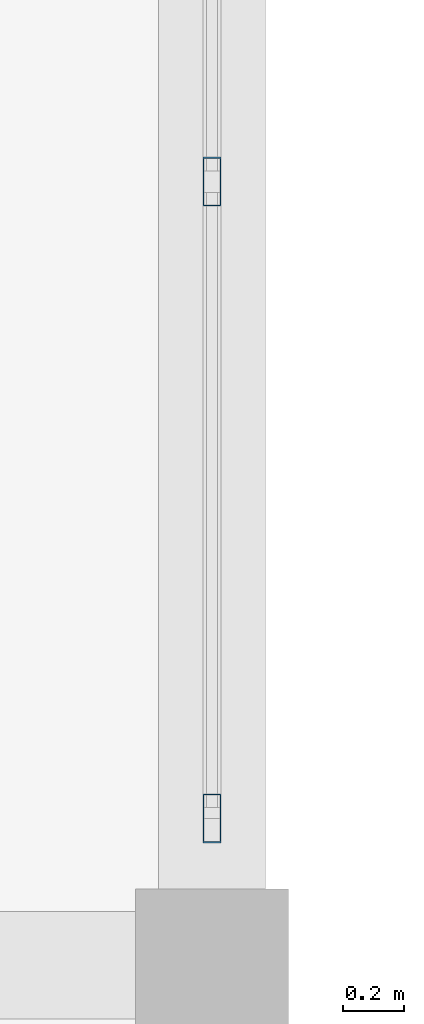
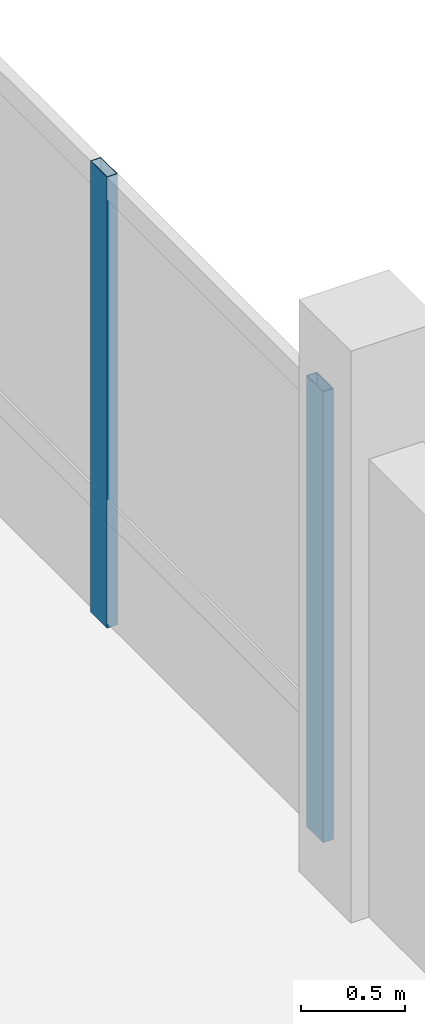
# One storey, part 8 of 18: 2 members, 1 element without a shape of its own.
"""IFC4 building model written with IfcOpenShell, lengths in metres."""

from ifc_helpers import new_model, si_unit, direction, frame, origin, origin_2d, place, context, subcontext, project, spatial, hollow_rectangle, extrude, material, material_profile, profile_set, type_object, element, aggregate, save


model = new_model("IFC4")

# Units and contexts
model_context = context("Model", 3, precision=1e-05, world=origin(), true_north=direction((0.0, 1.0)))
body_context = subcontext(model_context, "Body", "Model", "MODEL_VIEW")
ifc_project = project(units=[si_unit("LENGTHUNIT", "METRE"), si_unit("AREAUNIT", "SQUARE_METRE"), si_unit("VOLUMEUNIT", "CUBIC_METRE"), si_unit("PLANEANGLEUNIT", "RADIAN"), si_unit("MASSUNIT", "GRAM", prefix="KILO")], contexts=[model_context])

# Site, building, storey
site_placement = place(None, origin())
site = spatial("IfcSite", under=ifc_project, at=site_placement, CompositionType="ELEMENT")
building_placement = place(site_placement, origin())
building = spatial("IfcBuilding", under=site, at=building_placement, Name="Zornivar Specialist Clinic", CompositionType="ELEMENT")
storey_placement = place(building_placement, frame((0.0, 0.0, 23.39990234375)))
storey = spatial("IfcBuildingStorey", under=building, at=storey_placement, Name="L06", CompositionType="ELEMENT", Elevation=23.39990234375)

# Curtain wall, members
ifc_material_1 = material(Name="Aluminium and Low-E Glass Curtain Wall", Category="aluminium")
curtain_wall_type = type_object("IfcCurtainWallType", Name="CW-REVAK-COURT", PredefinedType="NOTDEFINED", material=ifc_material_1)
curtain_wall_placement = place(storey_placement, origin())
curtain_wall = element("IfcCurtainWall", 1, at=curtain_wall_placement, inside=storey, type_object=curtain_wall_type, Name="cw:V2:L06:10", PredefinedType="NOTDEFINED")
ifc_material_2 = material(Name="Aluminium AW-6060", Category="aluminium")
ifc_material_profile = material_profile(ifc_material_2, hollow_rectangle(XDim=0.06005859375, YDim=0.159912109375, WallThickness=0.00390625, at=origin_2d()), Name="ALU 60x160x4")
ifc_profile_set = profile_set([ifc_material_profile], Name="Aluminium AW-6060")
member_type = type_object("IfcMemberType", Name="CWM-MUL-160", PredefinedType="MULLION", material=ifc_profile_set)
member_1_placement = place(storey_placement, frame((14.39990234375, 29.280029296875, 0.0), z_axis=(0.0, 0.0, 1.0), x_axis=(1.0, 0.0, 0.0)))
member_1 = element("IfcMember", 2, at=member_1_placement, type_object=member_type, Name="cw:V2:L06:10:mul:0", PredefinedType="MULLION", context=body_context, shape_type="SweptSolid", body=[
    extrude(hollow_rectangle(XDim=0.06005859375, YDim=0.159912109375, WallThickness=0.00390625, at=origin_2d()), origin(), (0.0, 0.0, 1.0), 2.650146484375),
])
member_2_placement = place(storey_placement, frame((14.39990234375, 31.360107421875, 0.0), z_axis=(0.0, 0.0, 1.0), x_axis=(1.0, 0.0, 0.0)))
member_2 = element("IfcMember", 3, at=member_2_placement, type_object=member_type, Name="cw:V2:L06:10:mul:1", PredefinedType="MULLION", context=body_context, shape_type="SweptSolid", body=[
    extrude(hollow_rectangle(XDim=0.06005859375, YDim=0.159912109375, WallThickness=0.00390625, at=origin_2d()), origin(), (0.0, 0.0, 1.0), 2.650146484375),
])
aggregate(curtain_wall, [member_1, member_2])

save(model, "model.ifc")
